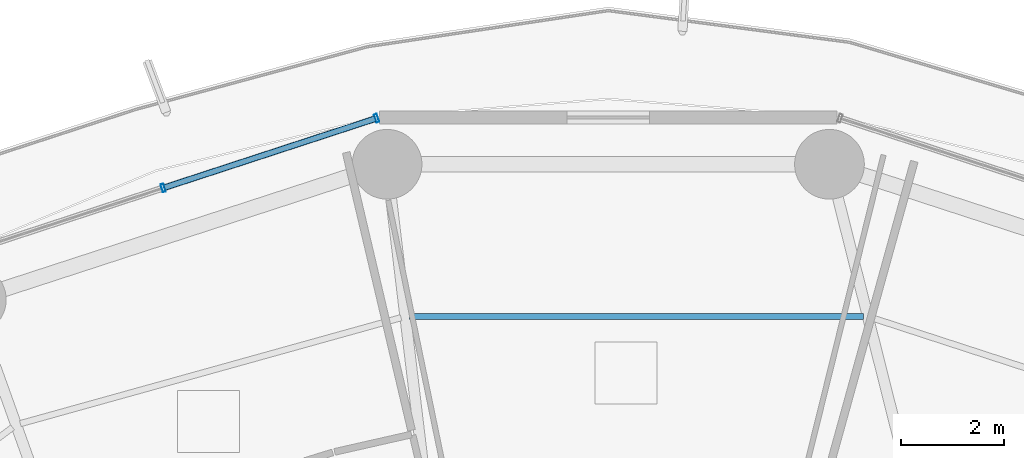
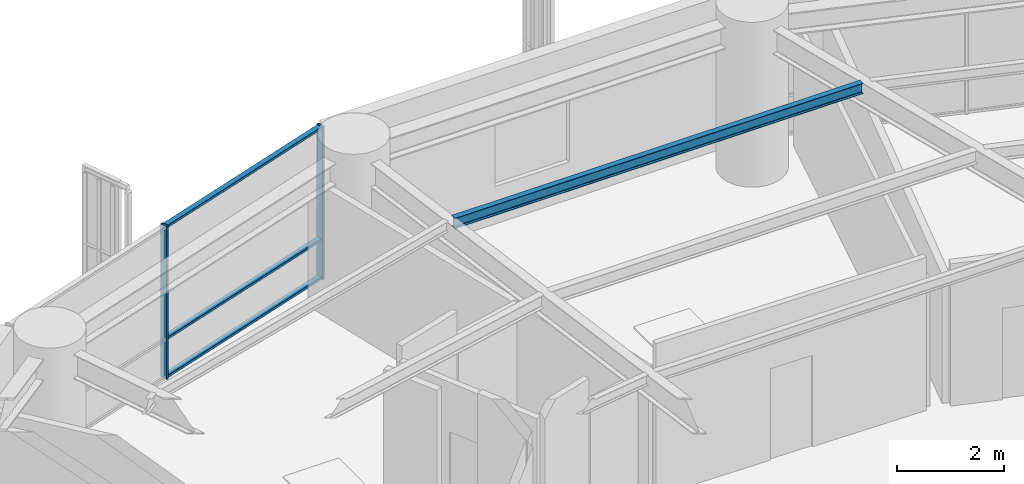
# One storey, part 22 of 38: 5 members, 1 beam, 1 element without a shape of its own.
"""IFC4 building model written with IfcOpenShell, lengths in metres."""

import ifcopenshell
import ifcopenshell.guid

model = None  # the IFC model being written
_history = None  # IfcOwnerHistory: only IFC2X3 demands one
_inside = {}  # id of a spatial element -> (the spatial element, [elements in it])
_under = {}  # id of a project, library or spatial element -> (it, [spatial elements below it])
_declared = {}  # id of a project -> (the project, [libraries it declares])
_typed = {}  # id of a type object -> (the type object, [elements of that type])
_made_of = {}  # id of a material, layer set ... -> (it, [elements and type objects made of it])


def new_model(schema):
    """Start an empty IFC model of exactly this schema.

    Asked for "IFC4X3", IfcOpenShell would pick the latest addendum, in which some entities
    have other attributes; the version numbers below select the first issue.
    IFC2X3 requires an IfcOwnerHistory on every rooted entity: one is made here for all.
    """
    global model, _history
    if schema == "IFC4X3":
        model = ifcopenshell.file(schema_version=(4, 3, 0, 0))
    else:
        model = ifcopenshell.file(schema=schema)
    _inside.clear()
    _under.clear()
    _declared.clear()
    _typed.clear()
    _made_of.clear()
    _history = None
    if model.schema == "IFC2X3":
        org = make("IfcOrganization", Name="unknown")
        user = make(
            "IfcPersonAndOrganization",
            ThePerson=make("IfcPerson", FamilyName="unknown"),
            TheOrganization=org,
        )
        app = make(
            "IfcApplication",
            ApplicationDeveloper=org,
            Version="unknown",
            ApplicationFullName="unknown",
            ApplicationIdentifier="unknown",
        )
        _history = make(
            "IfcOwnerHistory",
            OwningUser=user,
            OwningApplication=app,
            ChangeAction="ADDED",
            CreationDate=0,
        )
    return model


def make(cls, **values):
    """One entity of the class cls with the attributes given. An attribute that is None is left unset."""
    return model.create_entity(
        cls, **{name: value for name, value in values.items() if value is not None}
    )


def rooted(cls, **values):
    """An entity with a GlobalId (a new one), such as an element, a storey or a relation."""
    return make(cls, GlobalId=ifcopenshell.guid.new(), OwnerHistory=_history, **values)


def si_unit(unit_type, name, prefix=None):
    """IfcSIUnit, for example si_unit("LENGTHUNIT", "METRE", prefix="MILLI")."""
    return make("IfcSIUnit", UnitType=unit_type, Prefix=prefix, Name=name)


def assignment(units):
    """IfcUnitAssignment: the units of a project."""
    return None if units is None else make("IfcUnitAssignment", Units=units)


def point(xyz):
    """IfcCartesianPoint."""
    return None if xyz is None else make("IfcCartesianPoint", Coordinates=xyz)


def direction(xyz):
    """IfcDirection."""
    return None if xyz is None else make("IfcDirection", DirectionRatios=xyz)


def frame(location, z_axis=None, x_axis=None):
    """IfcAxis2Placement3D, a coordinate frame: its origin and axes. An axis left out is left unset."""
    return make(
        "IfcAxis2Placement3D",
        Location=point(location),
        Axis=direction(z_axis),
        RefDirection=direction(x_axis),
    )


def frame_2d(location, x_axis=None):
    """IfcAxis2Placement2D, a coordinate frame in the plane: its origin and x axis."""
    return make(
        "IfcAxis2Placement2D", Location=point(location), RefDirection=direction(x_axis)
    )


def origin():
    """The frame at (0, 0, 0) with its axes left unset."""
    return frame((0.0, 0.0, 0.0))


def origin_2d():
    """The frame at (0, 0) in the plane with its x axis left unset."""
    return frame_2d((0.0, 0.0))


def place(relative_to, where):
    """IfcLocalPlacement: puts the frame where relative to a parent placement (None: the world)."""
    return make(
        "IfcLocalPlacement", PlacementRelTo=relative_to, RelativePlacement=where
    )


def context(
    kind, dimensions, precision=None, world=None, true_north=None, identifier=None
):
    """IfcGeometricRepresentationContext, for example the 3D "Model" context."""
    return make(
        "IfcGeometricRepresentationContext",
        ContextIdentifier=identifier,
        ContextType=kind,
        CoordinateSpaceDimension=dimensions,
        Precision=precision,
        WorldCoordinateSystem=world,
        TrueNorth=true_north,
    )


def subcontext(parent, identifier, kind, view, scale=None):
    """IfcGeometricRepresentationSubContext, for example "Body" below "Model"."""
    return make(
        "IfcGeometricRepresentationSubContext",
        ContextIdentifier=identifier,
        ContextType=kind,
        ParentContext=parent,
        TargetScale=scale,
        TargetView=view,
    )


def project(units=None, contexts=None):
    """IfcProject with its units and contexts."""
    return rooted(
        "IfcProject",
        Name="project",
        RepresentationContexts=contexts,
        UnitsInContext=assignment(units),
    )


def spatial(cls, under=None, at=None, **own):
    """A site, building, storey or space (cls), placed at a placement, below another one or the project."""
    s = rooted(cls, ObjectPlacement=at, **own)
    if under is not None:
        _under.setdefault(under.id(), (under, []))[1].append(s)
    return s


def profile(cls, at=None, kind="AREA", **sizes):
    """A parametric profile (cls). Its sizes go by their IFC names, for example OverallWidth=200.0."""
    return make(cls, ProfileType=kind, Position=at, **sizes)


def hollow_rectangle(**sizes):
    """IfcRectangleHollowProfileDef."""
    return profile("IfcRectangleHollowProfileDef", **sizes)


def i_section(**sizes):
    """IfcIShapeProfileDef."""
    return profile("IfcIShapeProfileDef", **sizes)


def extrude(swept, where, along, depth):
    """IfcExtrudedAreaSolid: the profile swept, set in the frame where, extruded along a direction by depth."""
    return make(
        "IfcExtrudedAreaSolid",
        SweptArea=swept,
        Position=where,
        ExtrudedDirection=direction(along),
        Depth=depth,
    )


def shape(context_of_items, identifier, shape_type, items):
    """IfcShapeRepresentation: the items that make up one representation, for example the "Body"."""
    return make(
        "IfcShapeRepresentation",
        ContextOfItems=context_of_items,
        RepresentationIdentifier=identifier,
        RepresentationType=shape_type,
        Items=items,
    )


def material(Name=None, Category=None):
    """IfcMaterial."""
    return make("IfcMaterial", Name=Name, Category=Category)


def layer(
    of_material, thickness, ventilated=None, Name=None, Category=None, Priority=None
):
    """IfcMaterialLayer: one layer of a wall or slab, of a material (None: an air gap)."""
    return make(
        "IfcMaterialLayer",
        Material=of_material,
        LayerThickness=thickness,
        IsVentilated=ventilated,
        Name=Name,
        Category=Category,
        Priority=Priority,
    )


def layer_set(layers, Name=None):
    """IfcMaterialLayerSet."""
    return make("IfcMaterialLayerSet", MaterialLayers=layers, LayerSetName=Name)


def material_profile(
    of_material, cross_section, Name=None, Category=None, Priority=None
):
    """IfcMaterialProfile: a cross section and its material."""
    return make(
        "IfcMaterialProfile",
        Name=Name,
        Material=of_material,
        Profile=cross_section,
        Priority=Priority,
        Category=Category,
    )


def profile_set(profiles, Name=None, composite=None):
    """IfcMaterialProfileSet."""
    return make(
        "IfcMaterialProfileSet",
        Name=Name,
        MaterialProfiles=profiles,
        CompositeProfile=composite,
    )


def made_of(thing, what):
    """Note that an element or type object is made of a material, layer set ...; save() writes the relation."""
    if what is not None:
        _made_of.setdefault(what.id(), (what, []))[1].append(thing)
    return thing


def type_object(cls, material=None, **own):
    """A type object (cls), such as IfcWallType, which elements share."""
    return made_of(rooted(cls, **own), material)


def element(
    cls,
    number,
    at=None,
    inside=None,
    cuts=None,
    type_object=None,
    material=None,
    context=None,
    identifier="Body",
    shape_type=None,
    held_by="IfcProductDefinitionShape",
    body=None,
    shapes=None,
    **own,
):
    """One element of the class cls, such as IfcWall. Its Tag is "e" and its number.

    at: its placement. inside: the storey or other place that contains it. cuts: it is an
    opening in that element (IfcRelVoidsElement). A single representation is given by context,
    identifier, shape_type and body (its items); several are given by shapes. held_by: the class
    of the entity that holds the representations. save() writes the other relations.
    """
    e = rooted(cls, Tag="e%d" % number, ObjectPlacement=at, **own)
    if body is not None:
        shapes = [shape(context, identifier, shape_type, body)]
    if shapes is not None:
        e.Representation = make(held_by, Representations=shapes)
    if inside is not None:
        _inside.setdefault(inside.id(), (inside, []))[1].append(e)
    if cuts is not None:
        rooted(
            "IfcRelVoidsElement", RelatingBuildingElement=cuts, RelatedOpeningElement=e
        )
    if type_object is not None:
        _typed.setdefault(type_object.id(), (type_object, []))[1].append(e)
    return made_of(e, material)


def aggregate(whole, parts):
    """IfcRelAggregates: a whole, such as a stair, and the parts it consists of."""
    return rooted("IfcRelAggregates", RelatingObject=whole, RelatedObjects=parts)


def save(model, path):
    """Write the relations noted so far, then the file.

    IfcRelAggregates (storeys below a building ...), IfcRelContainedInSpatialStructure (elements
    in a storey), IfcRelDefinesByType, IfcRelAssociatesMaterial and IfcRelDeclares: one each for
    every whole, place, type object, material and project.
    """
    for whole, parts in _under.values():
        aggregate(whole, parts)
    for where, things in _inside.values():
        rooted(
            "IfcRelContainedInSpatialStructure",
            RelatedElements=things,
            RelatingStructure=where,
        )
    for kind, things in _typed.values():
        rooted("IfcRelDefinesByType", RelatedObjects=things, RelatingType=kind)
    for what, things in _made_of.values():
        rooted("IfcRelAssociatesMaterial", RelatedObjects=things, RelatingMaterial=what)
    for by, libraries in _declared.values():
        rooted("IfcRelDeclares", RelatingContext=by, RelatedDefinitions=libraries)
    model.write(path)


model = new_model("IFC4")

# Units and contexts
model_context = context("Model", 3, precision=1e-05, world=origin(), true_north=direction((0.0, 1.0)))
body_context = subcontext(model_context, "Body", "Model", "MODEL_VIEW")
ifc_project = project(units=[si_unit("LENGTHUNIT", "METRE"), si_unit("AREAUNIT", "SQUARE_METRE"), si_unit("VOLUMEUNIT", "CUBIC_METRE"), si_unit("PLANEANGLEUNIT", "RADIAN"), si_unit("MASSUNIT", "GRAM", prefix="KILO")], contexts=[model_context])

# Site, building, storey
site_placement = place(None, origin())
site = spatial("IfcSite", under=ifc_project, at=site_placement, CompositionType="ELEMENT")
building_placement = place(site_placement, origin())
building = spatial("IfcBuilding", under=site, at=building_placement, Name="Kelanora Arch Commons", CompositionType="ELEMENT")
storey_placement = place(building_placement, frame((0.0, 0.0, 106.35009765625)))
storey = spatial("IfcBuildingStorey", under=building, at=storey_placement, Name="L27", CompositionType="ELEMENT", Elevation=106.35009765625)

# Beam
ifc_material_1 = material(Name="Steel S355", Category="steel")
ifc_material_profile_1 = material_profile(ifc_material_1, i_section(OverallWidth=0.1201171875, OverallDepth=0.239990234375, WebThickness=0.006103515625, FlangeThickness=0.009765625, FilletRadius=0.014892578125, at=origin_2d()), Name="IPE240")
ifc_profile_set_1 = profile_set([ifc_material_profile_1], Name="Steel S355")
beam_type = type_object("IfcBeamType", Name="BM-JST-02", PredefinedType="JOIST", material=ifc_profile_set_1)
beam_placement = place(storey_placement, frame((78.943603515625, 76.795654296875, 3.369873046875), z_axis=(-1.0, 0.0, 0.0), x_axis=(0.0, -1.0, 0.0)))
element("IfcBeam", 1, at=beam_placement, inside=storey, type_object=beam_type, Name="Secondary Chord Joist BJC-08 L27", PredefinedType="JOIST", context=body_context, shape_type="SweptSolid", body=[
    extrude(i_section(OverallWidth=0.1201171875, OverallDepth=0.239990234375, WebThickness=0.006103515625, FlangeThickness=0.009765625, FilletRadius=0.014892578125, at=origin_2d()), origin(), (0.0, 0.0, 1.0), 8.791015625),
])

# Curtain wall, members
ifc_material_2 = material(Name="Terracotta ceramic-fritted low-E glass and aluminium", Category="masonry")
ifc_layer = layer(ifc_material_2, 0.159912109375)
ifc_layer_set = layer_set([ifc_layer], Name="Terracotta ceramic-fritted low-E glass and aluminium")
curtain_wall_type = type_object("IfcCurtainWallType", Name="CW-SYS-01", PredefinedType="NOTDEFINED", material=ifc_layer_set)
curtain_wall_placement = place(storey_placement, origin())
curtain_wall = element("IfcCurtainWall", 2, at=curtain_wall_placement, inside=storey, type_object=curtain_wall_type, Name="Unitised Curtain Wall L27-B05", PredefinedType="NOTDEFINED")
ifc_material_3 = material(Name="Powder-coated aluminium terracotta", Category="masonry")
ifc_material_profile_2 = material_profile(ifc_material_3, hollow_rectangle(XDim=0.159912109375, YDim=0.06005859375, WallThickness=0.0048828125, InnerFilletRadius=0.0048828125, OuterFilletRadius=0.010009765625, at=origin_2d()), Name="CWM160x60")
ifc_profile_set_2 = profile_set([ifc_material_profile_2], Name="Powder-coated aluminium terracotta")
member_type_1 = type_object("IfcMemberType", Name="CWM-STD", PredefinedType="MULLION", material=ifc_profile_set_2)
member_1_placement = place(storey_placement, frame((69.51171875, 80.636474609375, 0.0), z_axis=(0.0, 0.0, 1.0), x_axis=(0.31080470294, -0.950473795867, 0.0)))
member_1 = element("IfcMember", 3, at=member_1_placement, type_object=member_type_1, Name="CW-01 mullion 1", PredefinedType="MULLION", context=body_context, shape_type="SweptSolid", body=[
    extrude(hollow_rectangle(XDim=0.159912109375, YDim=0.06005859375, WallThickness=0.0048828125, InnerFilletRadius=0.0048828125, OuterFilletRadius=0.010009765625, at=origin_2d()), origin(), (0.0, 0.0, 1.0), 3.474853515625),
])
member_2_placement = place(storey_placement, frame((65.377197265625, 79.28466796875, 0.0), z_axis=(0.0, 0.0, 1.0), x_axis=(0.31080470294, -0.950473795867, 0.0)))
member_2 = element("IfcMember", 4, at=member_2_placement, type_object=member_type_1, Name="CW-01 mullion 2", PredefinedType="MULLION", context=body_context, shape_type="SweptSolid", body=[
    extrude(hollow_rectangle(XDim=0.159912109375, YDim=0.06005859375, WallThickness=0.0048828125, InnerFilletRadius=0.0048828125, OuterFilletRadius=0.010009765625, at=origin_2d()), origin(), (0.0, 0.0, 1.0), 3.474853515625),
])
ifc_material_profile_3 = material_profile(ifc_material_3, hollow_rectangle(XDim=0.1201171875, YDim=0.06005859375, WallThickness=0.0048828125, InnerFilletRadius=0.0048828125, OuterFilletRadius=0.010009765625, at=origin_2d()), Name="CWT120x60")
ifc_profile_set_3 = profile_set([ifc_material_profile_3], Name="Powder-coated aluminium terracotta")
member_type_2 = type_object("IfcMemberType", Name="CWT-STD", PredefinedType="USERDEFINED", material=ifc_profile_set_3)
member_3_placement = place(storey_placement, frame((69.483154296875, 80.627197265625, 0.02978515625), z_axis=(-0.950477544745, -0.31079323824, 0.0), x_axis=(0.31079323824, -0.950477544745, 0.0)))
member_3 = element("IfcMember", 5, at=member_3_placement, type_object=member_type_2, Name="CW-01 transom 1.1", ObjectType="TRANSOM", PredefinedType="USERDEFINED", context=body_context, shape_type="SweptSolid", body=[
    extrude(hollow_rectangle(XDim=0.1201171875, YDim=0.06005859375, WallThickness=0.0048828125, InnerFilletRadius=0.0048828125, OuterFilletRadius=0.010009765625, at=origin_2d()), origin(), (0.0, 0.0, 1.0), 4.289794921875),
])
member_4_placement = place(storey_placement, frame((69.483154296875, 80.627197265625, 0.89990234375), z_axis=(-0.950477544745, -0.31079323824, 0.0), x_axis=(0.31079323824, -0.950477544745, 0.0)))
member_4 = element("IfcMember", 6, at=member_4_placement, type_object=member_type_2, Name="CW-01 transom 1.2", ObjectType="TRANSOM", PredefinedType="USERDEFINED", context=body_context, shape_type="SweptSolid", body=[
    extrude(hollow_rectangle(XDim=0.1201171875, YDim=0.06005859375, WallThickness=0.0048828125, InnerFilletRadius=0.0048828125, OuterFilletRadius=0.010009765625, at=origin_2d()), origin(), (0.0, 0.0, 1.0), 4.289794921875),
])
member_5_placement = place(storey_placement, frame((69.483154296875, 80.627197265625, 3.44482421875), z_axis=(-0.950477544745, -0.31079323824, 0.0), x_axis=(0.31079323824, -0.950477544745, 0.0)))
member_5 = element("IfcMember", 7, at=member_5_placement, type_object=member_type_2, Name="CW-01 transom 1.3", ObjectType="TRANSOM", PredefinedType="USERDEFINED", context=body_context, shape_type="SweptSolid", body=[
    extrude(hollow_rectangle(XDim=0.1201171875, YDim=0.06005859375, WallThickness=0.0048828125, InnerFilletRadius=0.0048828125, OuterFilletRadius=0.010009765625, at=origin_2d()), origin(), (0.0, 0.0, 1.0), 4.289794921875),
])
aggregate(curtain_wall, [member_1, member_2, member_3, member_4, member_5])

save(model, "model.ifc")
